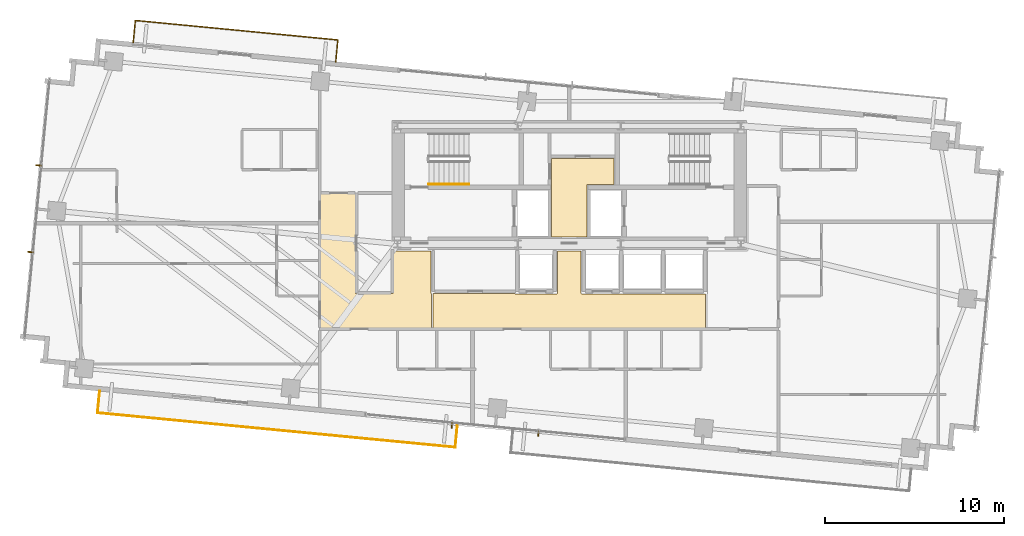
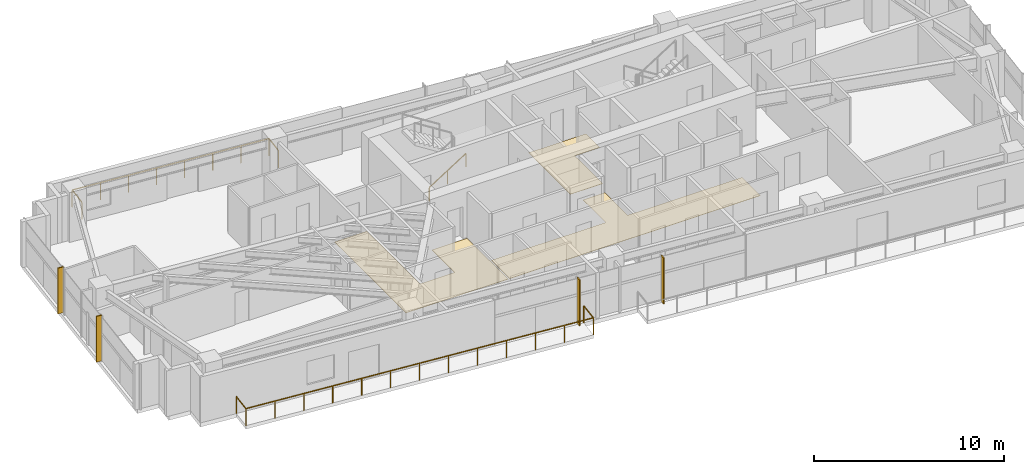
# One storey, part 19 of 20: 4 shading devices, 3 coverings, 3 railings.
"""IFC4 building model written with IfcOpenShell, lengths in metres."""

from ifc_helpers import new_model, si_unit, direction, frame, origin, origin_2d, place, context, subcontext, project, spatial, polyline, rectangle, outline, extrude, source, transform, mapped, material, layer, layer_set, type_object, type_shapes, element, save


model = new_model("IFC4")

# Units and contexts
model_context = context("Model", 3, precision=1e-05, world=origin(), true_north=direction((0.0, 1.0)))
body_context = subcontext(model_context, "Body", "Model", "MODEL_VIEW")
ifc_project = project(units=[si_unit("LENGTHUNIT", "METRE"), si_unit("AREAUNIT", "SQUARE_METRE"), si_unit("VOLUMEUNIT", "CUBIC_METRE"), si_unit("PLANEANGLEUNIT", "RADIAN"), si_unit("MASSUNIT", "GRAM", prefix="KILO")], contexts=[model_context])

# Site, building, storey
site_placement = place(None, origin())
site = spatial("IfcSite", under=ifc_project, at=site_placement, CompositionType="ELEMENT")
building_placement = place(site_placement, origin())
building = spatial("IfcBuilding", under=site, at=building_placement, Name="Astriad Promenade Condominiums", CompositionType="ELEMENT")
storey_placement = place(building_placement, frame((0.0, 0.0, 156.60009765625)))
storey = spatial("IfcBuildingStorey", under=building, at=storey_placement, Name="L45", CompositionType="ELEMENT", Elevation=156.60009765625)

# Coverings
ifc_material_1 = material(Name="Polished Lakefront Terrazzo Flooring")
ifc_layer = layer(ifc_material_1, 0.02001953125)
ifc_layer_set = layer_set([ifc_layer], Name="Polished Lakefront Terrazzo Flooring")
covering_type = type_object("IfcCoveringType", Name="COV-FLOR-TERRAZZO-20", PredefinedType="FLOORING", material=ifc_layer_set)
covering_1_placement = place(storey_placement, origin())
element("IfcCovering", 1, at=covering_1_placement, inside=storey, type_object=covering_type, Name="FLR-L45-CSL", PredefinedType="FLOORING", context=body_context, shape_type="SweptSolid", body=[
    extrude(outline(polyline([(36.97998046875, 20.699951171875), (36.97998046875, 17.7900390625), (35.02001953125, 17.7900390625), (35.02001953125, 22.179931640625), (38.5, 22.179931640625), (38.5, 20.739990234375), (37.02001953125, 20.739990234375), (37.01611328125, 20.73974609375), (37.01220703125, 20.7392578125), (37.00830078125, 20.73828125), (37.004638671875, 20.737060546875), (37.001220703125, 20.7353515625), (36.997802734375, 20.7333984375), (36.99462890625, 20.73095703125), (36.99169921875, 20.728271484375), (36.989013671875, 20.725341796875), (36.98681640625, 20.72216796875), (36.984619140625, 20.718994140625), (36.98291015625, 20.71533203125), (36.981689453125, 20.711669921875), (36.980712890625, 20.707763671875), (36.980224609375, 20.703857421875), (36.97998046875, 20.699951171875)])), origin(), (0.0, 0.0, 1.0), 0.02001953125),
])
covering_2_placement = place(storey_placement, origin())
element("IfcCovering", 2, at=covering_2_placement, inside=storey, type_object=covering_type, Name="FLR-L45-LLB", PredefinedType="FLOORING", context=body_context, shape_type="SweptSolid", body=[
    extrude(outline(polyline([(32.9736328125, 14.6201171875), (32.974609375, 14.619140625), (32.977783203125, 14.61669921875), (32.981201171875, 14.61474609375), (32.984619140625, 14.613037109375), (32.98828125, 14.61181640625), (32.9921875, 14.61083984375), (32.99609375, 14.610107421875), (33.0, 14.610107421875), (35.300048828125, 14.610107421875), (35.303955078125, 14.610107421875), (35.307861328125, 14.61083984375), (35.3115234375, 14.61181640625), (35.315185546875, 14.613037109375), (35.31884765625, 14.61474609375), (35.322265625, 14.61669921875), (35.325439453125, 14.619140625), (35.328369140625, 14.62158203125), (35.330810546875, 14.62451171875), (35.333251953125, 14.627685546875), (35.335205078125, 14.631103515625), (35.3369140625, 14.634765625), (35.33837890625, 14.638427734375), (35.339111328125, 14.64208984375), (35.33984375, 14.64599609375), (35.340087890625, 14.64990234375), (35.340087890625, 17.010009765625), (36.659912109375, 17.010009765625), (36.659912109375, 14.64990234375), (36.66015625, 14.64599609375), (36.660888671875, 14.64208984375), (36.66162109375, 14.638427734375), (36.6630859375, 14.634765625), (36.664794921875, 14.631103515625), (36.666748046875, 14.627685546875), (36.669189453125, 14.62451171875), (36.671630859375, 14.62158203125), (36.674560546875, 14.619140625), (36.677734375, 14.61669921875), (36.68115234375, 14.61474609375), (36.684814453125, 14.613037109375), (36.6884765625, 14.61181640625), (36.692138671875, 14.61083984375), (36.696044921875, 14.610107421875), (36.699951171875, 14.610107421875), (43.610107421875, 14.610107421875), (43.610107421875, 12.68994140625), (28.389892578125, 12.68994140625), (28.389892578125, 14.6201171875), (32.9736328125, 14.6201171875)])), origin(), (0.0, 0.0, 1.0), 0.02001953125),
])
covering_3_placement = place(storey_placement, origin())
element("IfcCovering", 3, at=covering_3_placement, inside=storey, type_object=covering_type, Name="FLR-L45-COR-2", PredefinedType="FLOORING", context=body_context, shape_type="SweptSolid", body=[
    extrude(outline(polyline([(28.300048828125, 12.68994140625), (22.090087890625, 12.68994140625), (22.090087890625, 20.2099609375), (24.06005859375, 20.2099609375), (24.06005859375, 14.659912109375), (24.060302734375, 14.656005859375), (24.060791015625, 14.652099609375), (24.061767578125, 14.6484375), (24.06298828125, 14.644775390625), (24.064697265625, 14.64111328125), (24.066650390625, 14.6376953125), (24.069091796875, 14.634521484375), (24.07177734375, 14.631591796875), (24.07470703125, 14.629150390625), (24.077880859375, 14.626708984375), (24.0810546875, 14.624755859375), (24.084716796875, 14.623046875), (24.08837890625, 14.62158203125), (24.09228515625, 14.620849609375), (24.09619140625, 14.6201171875), (24.10009765625, 14.6201171875), (26.1201171875, 14.6201171875), (26.123779296875, 14.6201171875), (26.127685546875, 14.620849609375), (26.131591796875, 14.62158203125), (26.13525390625, 14.623046875), (26.138916015625, 14.624755859375), (26.14208984375, 14.626708984375), (26.1455078125, 14.629150390625), (26.148193359375, 14.631591796875), (26.15087890625, 14.634521484375), (26.1533203125, 14.6376953125), (26.1552734375, 14.64111328125), (26.156982421875, 14.644775390625), (26.158203125, 14.6484375), (26.1591796875, 14.652099609375), (26.159912109375, 14.656005859375), (26.159912109375, 14.659912109375), (26.159912109375, 17.010009765625), (28.280029296875, 17.010009765625), (28.280029296875, 14.659912109375), (28.2802734375, 14.656005859375), (28.28076171875, 14.652099609375), (28.28173828125, 14.6484375), (28.282958984375, 14.644775390625), (28.28466796875, 14.64111328125), (28.28662109375, 14.6376953125), (28.2890625, 14.634521484375), (28.291748046875, 14.631591796875), (28.294677734375, 14.629150390625), (28.2978515625, 14.626708984375), (28.300048828125, 14.62548828125), (28.300048828125, 12.68994140625)])), origin(), (0.0, 0.0, 1.0), 0.02001953125),
])

# Shading devices
ifc_material_2 = material(Name="Anodised aluminium 6063-T6 Black Fin", Category="aluminium")
shading_device_type = type_object("IfcShadingDeviceType", Name="FIN-BLACK-260", PredefinedType="USERDEFINED", material=ifc_material_2)
shared_shape_1 = source(origin(), body_context, "Body", "SweptSolid", [
    extrude(rectangle(XDim=0.06494140625, YDim=0.320068359375, at=origin_2d()), origin(), (0.0, 0.0, 1.0), 2.93994140625),
])
type_shapes(shading_device_type, [shared_shape_1])
for number, where, z_axis, x_axis, name in (
    (4, (5.880126953125, 16.947509765625, 0.0), (0.0, 0.0, 1.0), (0.09584575252, 0.995396198367, 0.0), "CW-L45-W-FIN-01"),
    (5, (6.3466796875, 21.791748046875, 0.0), (0.0, 0.0, 1.0), (0.09584575252, 0.995396198367, 0.0), "CW-L45-W-FIN-02"),
    (6, (34.278564453125, 6.80224609375, 0.0), (0.0, 0.0, 1.0), (-0.995396198367, 0.09584575252, 0.0), "CW-L45-S-FIN-01"),
    (7, (29.44091796875, 7.26806640625, 0.0), (0.0, 0.0, 1.0), (-0.995396198367, 0.09584575252, 0.0), "CW-L45-S-FIN-02"),
):
    element("IfcShadingDevice", number, at=place(storey_placement, frame(where, z_axis=z_axis, x_axis=x_axis)), inside=storey, type_object=shading_device_type, Name=name, ObjectType="FIN", PredefinedType="USERDEFINED", context=body_context, shape_type="MappedRepresentation", body=[
        mapped(shared_shape_1, transform((0.0, 0.0, 0.0), scale=1.0)),
    ])

# Railings
ifc_material_3 = material(Name="Laminated Glass and Stainless Steel Balustrade", Category="steel")
railing_type_1 = type_object("IfcRailingType", Name="GRD-BALC-1120", PredefinedType="BALUSTRADE", material=ifc_material_3)
shared_shape_2 = source(origin(), body_context, "Body", "SweptSolid", [
    extrude(rectangle(XDim=0.048095703125, YDim=0.048095703125, at=origin_2d()), frame((0.0, 0.0, 1.09619140625), z_axis=(-0.095857307208, -0.99539508571, 0.0), x_axis=(0.99539508571, -0.095857307208, 0.0)), (0.0, 0.0, 1.0), 1.219970703125),
    extrude(rectangle(XDim=0.048095703125, YDim=0.048095703125, at=origin_2d()), frame((-0.116943359375, -1.21435546875, 1.09619140625), z_axis=(0.995395681807, -0.095851117055, 0.0), x_axis=(0.095851117055, 0.995395681807, 0.0)), (0.0, 0.0, 1.0), 20.0888671875),
    extrude(rectangle(XDim=0.048095703125, YDim=0.048095703125, at=origin_2d()), frame((19.87939453125, -3.139892578125, 1.09619140625), z_axis=(0.095857307208, 0.99539508571, 0.0), x_axis=(-0.99539508571, 0.095857307208, 0.0)), (0.0, 0.0, 1.0), 1.219970703125),
    extrude(rectangle(XDim=0.0419921875, YDim=0.0419921875, at=origin_2d()), origin(), (0.0, 0.0, 1.0), 1.072021484375),
    extrude(rectangle(XDim=0.0419921875, YDim=0.0419921875, at=origin_2d()), frame((-0.116943359375, -1.21435546875, 0.0)), (0.0, 0.0, 1.0), 1.072021484375),
    extrude(rectangle(XDim=0.0419921875, YDim=0.0419921875, at=origin_2d()), frame((1.54931640625, -1.374755859375, 0.0)), (0.0, 0.0, 1.0), 1.072021484375),
    extrude(rectangle(XDim=0.0419921875, YDim=0.0419921875, at=origin_2d()), frame((3.2158203125, -1.53515625, 0.0)), (0.0, 0.0, 1.0), 1.072021484375),
    extrude(rectangle(XDim=0.0419921875, YDim=0.0419921875, at=origin_2d()), frame((4.882080078125, -1.69580078125, 0.0)), (0.0, 0.0, 1.0), 1.072021484375),
    extrude(rectangle(XDim=0.0419921875, YDim=0.0419921875, at=origin_2d()), frame((6.548583984375, -1.856201171875, 0.0)), (0.0, 0.0, 1.0), 1.072021484375),
    extrude(rectangle(XDim=0.0419921875, YDim=0.0419921875, at=origin_2d()), frame((8.21484375, -2.0166015625, 0.0)), (0.0, 0.0, 1.0), 1.072021484375),
    extrude(rectangle(XDim=0.0419921875, YDim=0.0419921875, at=origin_2d()), frame((9.88134765625, -2.17724609375, 0.0)), (0.0, 0.0, 1.0), 1.072021484375),
    extrude(rectangle(XDim=0.0419921875, YDim=0.0419921875, at=origin_2d()), frame((11.547607421875, -2.337646484375, 0.0)), (0.0, 0.0, 1.0), 1.072021484375),
    extrude(rectangle(XDim=0.0419921875, YDim=0.0419921875, at=origin_2d()), frame((13.2138671875, -2.498046875, 0.0)), (0.0, 0.0, 1.0), 1.072021484375),
    extrude(rectangle(XDim=0.0419921875, YDim=0.0419921875, at=origin_2d()), frame((14.88037109375, -2.658447265625, 0.0)), (0.0, 0.0, 1.0), 1.072021484375),
    extrude(rectangle(XDim=0.0419921875, YDim=0.0419921875, at=origin_2d()), frame((16.546630859375, -2.81884765625, 0.0)), (0.0, 0.0, 1.0), 1.072021484375),
    extrude(rectangle(XDim=0.0419921875, YDim=0.0419921875, at=origin_2d()), frame((18.213134765625, -2.9794921875, 0.0)), (0.0, 0.0, 1.0), 1.072021484375),
    extrude(rectangle(XDim=0.0419921875, YDim=0.0419921875, at=origin_2d()), frame((19.87939453125, -3.139892578125, 0.0)), (0.0, 0.0, 1.0), 1.072021484375),
    extrude(rectangle(XDim=0.0419921875, YDim=0.0419921875, at=origin_2d()), frame((19.996337890625, -1.925537109375, 0.0)), (0.0, 0.0, 1.0), 1.072021484375),
])
railing_1_placement = place(storey_placement, frame((9.74609375, 9.174560546875, 0.0)))
element("IfcRailing", 8, at=railing_1_placement, inside=storey, type_object=railing_type_1, Name="GRD-BALC-L45-SW", PredefinedType="BALUSTRADE", context=body_context, shape_type="MappedRepresentation", body=[
    mapped(shared_shape_2, transform((0.0, 0.0, 0.0), scale=1.0)),
])
shared_shape_3 = source(origin(), body_context, "Body", "SweptSolid", [
    extrude(rectangle(XDim=0.048095703125, YDim=0.048095703125, at=origin_2d()), frame((0.0, 0.0, 1.09619140625), z_axis=(0.095876405589, 0.995393246336, 0.0), x_axis=(-0.995393246336, 0.095876405589, 0.0)), (0.0, 0.0, 1.0), 1.2197265625),
    extrude(rectangle(XDim=0.048095703125, YDim=0.048095703125, at=origin_2d()), frame((0.116943359375, 1.214111328125, 1.09619140625), z_axis=(-0.995395100529, 0.095857153323, 0.0), x_axis=(-0.095857153323, -0.995395100529, 0.0)), (0.0, 0.0, 1.0), 11.377197265625),
    extrude(rectangle(XDim=0.048095703125, YDim=0.048095703125, at=origin_2d()), frame((-11.207763671875, 2.3046875, 1.09619140625), z_axis=(-0.095857307208, -0.99539508571, 0.0), x_axis=(0.99539508571, -0.095857307208, 0.0)), (0.0, 0.0, 1.0), 1.219970703125),
    extrude(rectangle(XDim=0.0419921875, YDim=0.0419921875, at=origin_2d()), origin(), (0.0, 0.0, 1.0), 1.072021484375),
    extrude(rectangle(XDim=0.0419921875, YDim=0.0419921875, at=origin_2d()), frame((0.116943359375, 1.214111328125, 0.0)), (0.0, 0.0, 1.0), 1.072021484375),
    extrude(rectangle(XDim=0.0419921875, YDim=0.0419921875, at=origin_2d()), frame((-1.5009765625, 1.369873046875, 0.0)), (0.0, 0.0, 1.0), 1.072021484375),
    extrude(rectangle(XDim=0.0419921875, YDim=0.0419921875, at=origin_2d()), frame((-3.11865234375, 1.525634765625, 0.0)), (0.0, 0.0, 1.0), 1.072021484375),
    extrude(rectangle(XDim=0.0419921875, YDim=0.0419921875, at=origin_2d()), frame((-4.736572265625, 1.681396484375, 0.0)), (0.0, 0.0, 1.0), 1.072021484375),
    extrude(rectangle(XDim=0.0419921875, YDim=0.0419921875, at=origin_2d()), frame((-6.354248046875, 1.83740234375, 0.0)), (0.0, 0.0, 1.0), 1.072021484375),
    extrude(rectangle(XDim=0.0419921875, YDim=0.0419921875, at=origin_2d()), frame((-7.97216796875, 1.9931640625, 0.0)), (0.0, 0.0, 1.0), 1.072021484375),
    extrude(rectangle(XDim=0.0419921875, YDim=0.0419921875, at=origin_2d()), frame((-9.58984375, 2.14892578125, 0.0)), (0.0, 0.0, 1.0), 1.072021484375),
    extrude(rectangle(XDim=0.0419921875, YDim=0.0419921875, at=origin_2d()), frame((-11.207763671875, 2.3046875, 0.0)), (0.0, 0.0, 1.0), 1.072021484375),
    extrude(rectangle(XDim=0.0419921875, YDim=0.0419921875, at=origin_2d()), frame((-11.32470703125, 1.09033203125, 0.0)), (0.0, 0.0, 1.0), 1.072021484375),
])
type_shapes(railing_type_1, [shared_shape_2, shared_shape_3])
railing_2_placement = place(storey_placement, frame((22.94921875, 27.593994140625, 0.0)))
element("IfcRailing", 9, at=railing_2_placement, inside=storey, type_object=railing_type_1, Name="GRD-BALC-L45-NW", PredefinedType="BALUSTRADE", context=body_context, shape_type="MappedRepresentation", body=[
    mapped(shared_shape_3, transform((0.0, 0.0, 0.0), scale=1.0)),
])
ifc_material_4 = material(Name="Brushed Stainless Steel Handrail", Category="steel")
railing_type_2 = type_object("IfcRailingType", Name="HRL-STAIR-920", PredefinedType="HANDRAIL", material=ifc_material_4)
shared_shape_4 = source(origin(), body_context, "Body", "SweptSolid", [
    extrude(rectangle(XDim=0.048095703125, YDim=0.048095703125, at=origin_2d()), frame((0.0, 0.0, 0.8759765625), z_axis=(0.8442293374, 0.0, 0.53598211339), x_axis=(0.0, 1.0, 0.0)), (0.0, 0.0, 1.0), 2.6533203125),
    extrude(rectangle(XDim=0.0419921875, YDim=0.0419921875, at=origin_2d()), origin(), (0.0, 0.0, 1.0), 0.851806640625),
    extrude(rectangle(XDim=0.0419921875, YDim=0.0419921875, at=origin_2d()), frame((1.1201171875, 0.0, 0.7109375)), (0.0, 0.0, 1.0), 0.851806640625),
    extrude(rectangle(XDim=0.0419921875, YDim=0.0419921875, at=origin_2d()), frame((2.239990234375, 0.0, 1.422119140625)), (0.0, 0.0, 1.0), 0.851806640625),
])
type_shapes(railing_type_2, [shared_shape_4])
railing_3_placement = place(storey_placement, frame((28.14990234375, 20.75, 0.177734375)))
element("IfcRailing", 10, at=railing_3_placement, inside=storey, type_object=railing_type_2, Name="L45 ST-1 stair handrail 1", PredefinedType="HANDRAIL", context=body_context, shape_type="MappedRepresentation", body=[
    mapped(shared_shape_4, transform((0.0, 0.0, 0.0), scale=1.0)),
])

save(model, "model.ifc")
